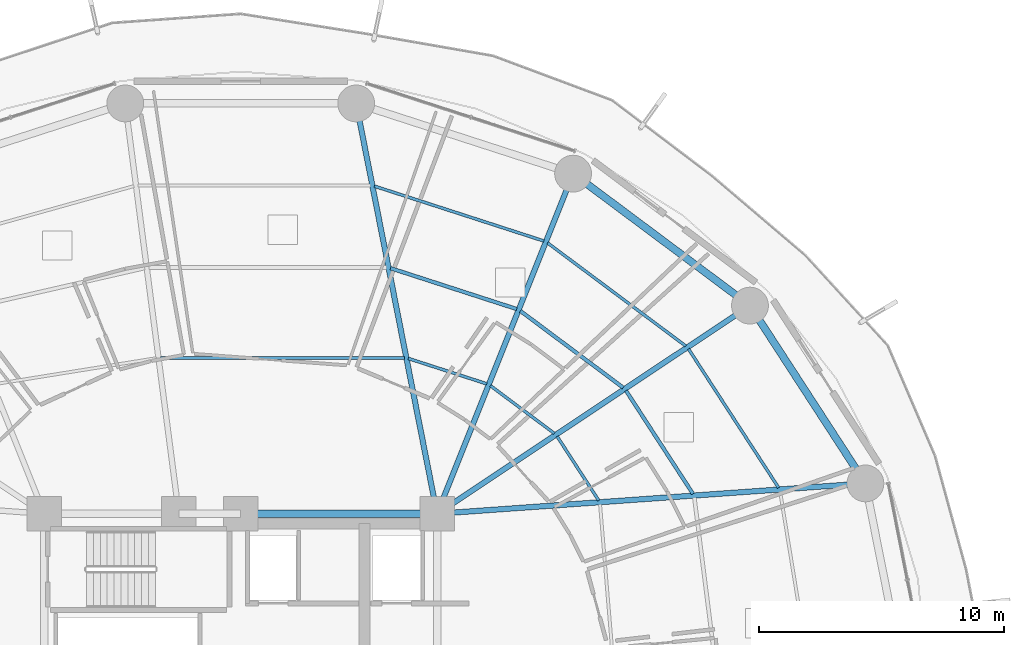
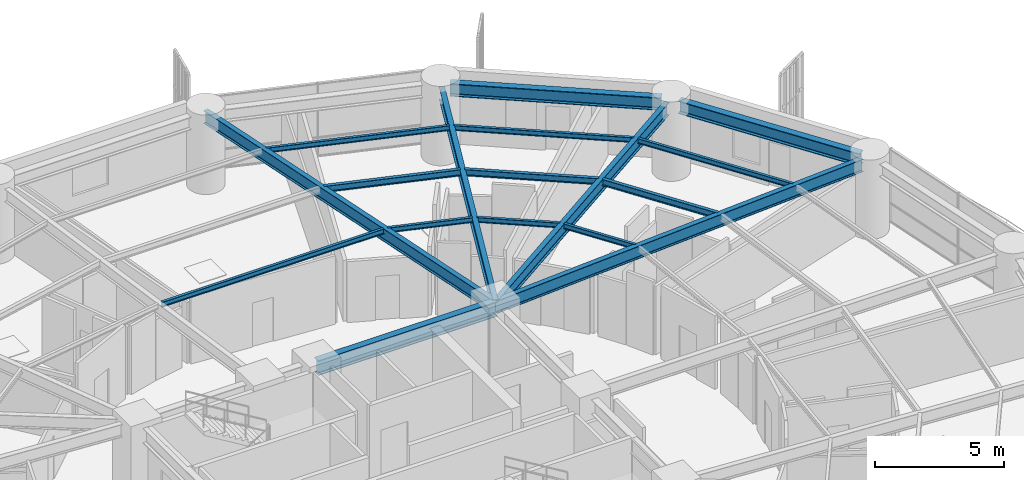
# One storey, part 19 of 32: 17 beams.
"""IFC4 building model written with IfcOpenShell, lengths in metres."""

from ifc_helpers import new_model, si_unit, direction, frame, origin, origin_2d, place, context, subcontext, project, spatial, i_section, extrude, material, material_profile, profile_set, type_object, element, save


model = new_model("IFC4")

# Units and contexts
model_context = context("Model", 3, precision=1e-05, world=origin(), true_north=direction((0.0, 1.0)))
body_context = subcontext(model_context, "Body", "Model", "MODEL_VIEW")
ifc_project = project(units=[si_unit("LENGTHUNIT", "METRE"), si_unit("AREAUNIT", "SQUARE_METRE"), si_unit("VOLUMEUNIT", "CUBIC_METRE"), si_unit("PLANEANGLEUNIT", "RADIAN"), si_unit("MASSUNIT", "GRAM", prefix="KILO")], contexts=[model_context])

# Site, building, storey
site_placement = place(None, origin())
site = spatial("IfcSite", under=ifc_project, at=site_placement, CompositionType="ELEMENT")
building_placement = place(site_placement, origin())
building = spatial("IfcBuilding", under=site, at=building_placement, Name="Kelanora Arch Commons", CompositionType="ELEMENT")
storey_placement = place(building_placement, frame((0.0, 0.0, 56.25)))
storey = spatial("IfcBuildingStorey", under=building, at=storey_placement, Name="L14", CompositionType="ELEMENT", Elevation=56.25)

# Beams
ifc_material = material(Name="Steel S355", Category="steel")
ifc_material_profile_1 = material_profile(ifc_material, i_section(OverallWidth=0.300048828125, OverallDepth=0.699951171875, WebThickness=0.01708984375, FlangeThickness=0.031982421875, FilletRadius=0.027099609375, at=origin_2d()), Name="HEB700")
ifc_profile_set_1 = profile_set([ifc_material_profile_1], Name="Steel S355")
beam_type_1 = type_object("IfcBeamType", Name="BM-CORE-HDR", PredefinedType="BEAM", material=ifc_profile_set_1)
beam_1_placement = place(storey_placement, frame((82.0, 65.0, 3.139892578125), z_axis=(-1.0, 0.0, 0.0), x_axis=(0.0, -1.0, 0.0)))
element("IfcBeam", 1, at=beam_1_placement, inside=storey, type_object=beam_type_1, Name="Core Header Beam 05 L14", PredefinedType="BEAM", context=body_context, shape_type="SweptSolid", body=[
    extrude(i_section(OverallWidth=0.300048828125, OverallDepth=0.699951171875, WebThickness=0.01708984375, FlangeThickness=0.031982421875, FilletRadius=0.027099609375, at=origin_2d()), origin(), (0.0, 0.0, 1.0), 8.0),
])
ifc_material_profile_2 = material_profile(ifc_material, i_section(OverallWidth=0.14990234375, OverallDepth=0.300048828125, WebThickness=0.007080078125, FlangeThickness=0.0107421875, FilletRadius=0.014892578125, at=origin_2d()), Name="IPE300")
ifc_profile_set_2 = profile_set([ifc_material_profile_2], Name="Steel S355")
beam_type_2 = type_object("IfcBeamType", Name="BM-JST-01", PredefinedType="JOIST", material=ifc_profile_set_2)
beam_2_placement = place(storey_placement, frame((92.421875, 65.812744140625, 3.340087890625), z_axis=(-0.544551588245, 0.838727350061, 0.0), x_axis=(-0.838727350061, -0.544551588245, 0.0)))
element("IfcBeam", 2, at=beam_2_placement, inside=storey, type_object=beam_type_2, Name="Secondary Chord Joist BJB-02 L14", PredefinedType="JOIST", context=body_context, shape_type="SweptSolid", body=[
    extrude(i_section(OverallWidth=0.14990234375, OverallDepth=0.300048828125, WebThickness=0.007080078125, FlangeThickness=0.0107421875, FilletRadius=0.014892578125, at=origin_2d()), origin(), (0.0, 0.0, 1.0), 5.010986328125),
])
beam_3_placement = place(storey_placement, frame((89.57861328125, 70.1376953125, 3.340087890625), z_axis=(-0.801478251559, 0.598023922831, 0.0), x_axis=(-0.598023922831, -0.801478251559, 0.0)))
element("IfcBeam", 3, at=beam_3_placement, inside=storey, type_object=beam_type_2, Name="Secondary Chord Joist BJB-04 L14", PredefinedType="JOIST", context=body_context, shape_type="SweptSolid", body=[
    extrude(i_section(OverallWidth=0.14990234375, OverallDepth=0.300048828125, WebThickness=0.007080078125, FlangeThickness=0.0107421875, FilletRadius=0.014892578125, at=origin_2d()), origin(), (0.0, 0.0, 1.0), 5.223388671875),
])
beam_4_placement = place(storey_placement, frame((85.2431640625, 73.33837890625, 3.340087890625), z_axis=(-0.951412209627, 0.307920131482, 0.0), x_axis=(-0.307920131482, -0.951412209627, 0.0)))
element("IfcBeam", 4, at=beam_4_placement, inside=storey, type_object=beam_type_2, Name="Secondary Chord Joist BJB-06 L14", PredefinedType="JOIST", context=body_context, shape_type="SweptSolid", body=[
    extrude(i_section(OverallWidth=0.14990234375, OverallDepth=0.300048828125, WebThickness=0.007080078125, FlangeThickness=0.0107421875, FilletRadius=0.014892578125, at=origin_2d()), origin(), (0.0, 0.0, 1.0), 5.4033203125),
])
ifc_material_profile_3 = material_profile(ifc_material, i_section(OverallWidth=0.1201171875, OverallDepth=0.239990234375, WebThickness=0.006103515625, FlangeThickness=0.009765625, FilletRadius=0.014892578125, at=origin_2d()), Name="IPE240")
ifc_profile_set_3 = profile_set([ifc_material_profile_3], Name="Steel S355")
beam_type_3 = type_object("IfcBeamType", Name="BM-JST-02", PredefinedType="JOIST", material=ifc_profile_set_3)
beam_5_placement = place(storey_placement, frame((88.58349609375, 65.541015625, 3.3701171875), z_axis=(-0.544591105858, 0.838701691557, 0.0), x_axis=(-0.838701691557, -0.544591105858, 0.0)))
element("IfcBeam", 5, at=beam_5_placement, inside=storey, type_object=beam_type_3, Name="Secondary Chord Joist BJA-02 L14", PredefinedType="JOIST", context=body_context, shape_type="SweptSolid", body=[
    extrude(i_section(OverallWidth=0.1201171875, OverallDepth=0.239990234375, WebThickness=0.006103515625, FlangeThickness=0.009765625, FilletRadius=0.014892578125, at=origin_2d()), origin(), (0.0, 0.0, 1.0), 3.111328125),
])
beam_6_placement = place(storey_placement, frame((95.9111328125, 66.059814453125, 3.3701171875), z_axis=(-0.544550165372, 0.838728273873, 0.0), x_axis=(-0.838728273873, -0.544550165372, 0.0)))
element("IfcBeam", 6, at=beam_6_placement, inside=storey, type_object=beam_type_3, Name="Secondary Chord Joist BJC-02 L14", PredefinedType="JOIST", context=body_context, shape_type="SweptSolid", body=[
    extrude(i_section(OverallWidth=0.1201171875, OverallDepth=0.239990234375, WebThickness=0.006103515625, FlangeThickness=0.009765625, FilletRadius=0.014892578125, at=origin_2d()), origin(), (0.0, 0.0, 1.0), 6.738037109375),
])
beam_7_placement = place(storey_placement, frame((86.77490234375, 68.272705078125, 3.3701171875), z_axis=(-0.801513822608, 0.59797624716, 0.0), x_axis=(-0.59797624716, -0.801513822608, 0.0)))
element("IfcBeam", 7, at=beam_7_placement, inside=storey, type_object=beam_type_3, Name="Secondary Chord Joist BJA-04 L14", PredefinedType="JOIST", context=body_context, shape_type="SweptSolid", body=[
    extrude(i_section(OverallWidth=0.1201171875, OverallDepth=0.239990234375, WebThickness=0.006103515625, FlangeThickness=0.009765625, FilletRadius=0.014892578125, at=origin_2d()), origin(), (0.0, 0.0, 1.0), 3.245849609375),
])
beam_8_placement = place(storey_placement, frame((92.12744140625, 71.83349609375, 3.3701171875), z_axis=(-0.80149131963, 0.598006408459, 0.0), x_axis=(-0.598006408459, -0.80149131963, 0.0)))
element("IfcBeam", 8, at=beam_8_placement, inside=storey, type_object=beam_type_3, Name="Secondary Chord Joist BJC-04 L14", PredefinedType="JOIST", context=body_context, shape_type="SweptSolid", body=[
    extrude(i_section(OverallWidth=0.1201171875, OverallDepth=0.239990234375, WebThickness=0.006103515625, FlangeThickness=0.009765625, FilletRadius=0.014892578125, at=origin_2d()), origin(), (0.0, 0.0, 1.0), 7.021240234375),
])
beam_9_placement = place(storey_placement, frame((84.0244140625, 70.290771484375, 3.3701171875), z_axis=(-0.951422608074, 0.30788800049, 0.0), x_axis=(-0.30788800049, -0.951422608074, 0.0)))
element("IfcBeam", 9, at=beam_9_placement, inside=storey, type_object=beam_type_3, Name="Secondary Chord Joist BJA-06 L14", PredefinedType="JOIST", context=body_context, shape_type="SweptSolid", body=[
    extrude(i_section(OverallWidth=0.1201171875, OverallDepth=0.239990234375, WebThickness=0.006103515625, FlangeThickness=0.009765625, FilletRadius=0.014892578125, at=origin_2d()), origin(), (0.0, 0.0, 1.0), 3.359619140625),
])
beam_10_placement = place(storey_placement, frame((86.35107421875, 76.109375, 3.3701171875), z_axis=(-0.951410915705, 0.307924129418, 0.0), x_axis=(-0.307924129418, -0.951410915705, 0.0)))
element("IfcBeam", 10, at=beam_10_placement, inside=storey, type_object=beam_type_3, Name="Secondary Chord Joist BJC-06 L14", PredefinedType="JOIST", context=body_context, shape_type="SweptSolid", body=[
    extrude(i_section(OverallWidth=0.1201171875, OverallDepth=0.239990234375, WebThickness=0.006103515625, FlangeThickness=0.009765625, FilletRadius=0.014892578125, at=origin_2d()), origin(), (0.0, 0.0, 1.0), 7.260986328125),
])
beam_11_placement = place(storey_placement, frame((80.661865234375, 71.351318359375, 3.3701171875), z_axis=(-1.0, 0.0, 0.0), x_axis=(0.0, -1.0, 0.0)))
element("IfcBeam", 11, at=beam_11_placement, inside=storey, type_object=beam_type_3, Name="Secondary Chord Joist BJA-08 L14", PredefinedType="JOIST", context=body_context, shape_type="SweptSolid", body=[
    extrude(i_section(OverallWidth=0.1201171875, OverallDepth=0.239990234375, WebThickness=0.006103515625, FlangeThickness=0.009765625, FilletRadius=0.014892578125, at=origin_2d()), origin(), (0.0, 0.0, 1.0), 9.92626953125),
])
ifc_material_profile_4 = material_profile(ifc_material, i_section(OverallWidth=0.219970703125, OverallDepth=0.60009765625, WebThickness=0.011962890625, FlangeThickness=0.01904296875, FilletRadius=0.02392578125, at=origin_2d()), Name="IPE600")
ifc_profile_set_4 = profile_set([ifc_material_profile_4], Name="Steel S355")
beam_type_4 = type_object("IfcBeamType", Name="BM-RAD-Z1", PredefinedType="BEAM", material=ifc_profile_set_4)
beam_12_placement = place(storey_placement, frame((82.0, 65.0, 3.18994140625), z_axis=(0.997500678462, 0.070656892572, 0.0), x_axis=(-0.070656892572, 0.997500678462, 0.0)))
element("IfcBeam", 12, at=beam_12_placement, inside=storey, type_object=beam_type_4, Name="Radial Floor Girder BR-02 L14", PredefinedType="BEAM", context=body_context, shape_type="SweptSolid", body=[
    extrude(i_section(OverallWidth=0.219970703125, OverallDepth=0.60009765625, WebThickness=0.011962890625, FlangeThickness=0.01904296875, FilletRadius=0.02392578125, at=origin_2d()), origin(), (0.0, 0.0, 1.0), 17.110595703125),
])
beam_13_placement = place(storey_placement, frame((82.0, 65.0, 3.18994140625), z_axis=(0.832590897434, 0.553888434173, 0.0), x_axis=(-0.553888434173, 0.832590897434, 0.0)))
element("IfcBeam", 13, at=beam_13_placement, inside=storey, type_object=beam_type_4, Name="Radial Floor Girder BR-04 L14", PredefinedType="BEAM", context=body_context, shape_type="SweptSolid", body=[
    extrude(i_section(OverallWidth=0.219970703125, OverallDepth=0.60009765625, WebThickness=0.011962890625, FlangeThickness=0.01904296875, FilletRadius=0.02392578125, at=origin_2d()), origin(), (0.0, 0.0, 1.0), 14.9267578125),
])
beam_14_placement = place(storey_placement, frame((82.0, 65.0, 3.18994140625), z_axis=(0.37129803903, 0.928513740454, 0.0), x_axis=(-0.928513740454, 0.37129803903, 0.0)))
element("IfcBeam", 14, at=beam_14_placement, inside=storey, type_object=beam_type_4, Name="Radial Floor Girder BR-06 L14", PredefinedType="BEAM", context=body_context, shape_type="SweptSolid", body=[
    extrude(i_section(OverallWidth=0.219970703125, OverallDepth=0.60009765625, WebThickness=0.011962890625, FlangeThickness=0.01904296875, FilletRadius=0.02392578125, at=origin_2d()), origin(), (0.0, 0.0, 1.0), 14.540771484375),
])
beam_15_placement = place(storey_placement, frame((82.0, 65.0, 3.18994140625), z_axis=(-0.19356352044, 0.981087745084, 0.0), x_axis=(-0.981087745084, -0.19356352044, 0.0)))
element("IfcBeam", 15, at=beam_15_placement, inside=storey, type_object=beam_type_4, Name="Radial Floor Girder BR-08 L14", PredefinedType="BEAM", context=body_context, shape_type="SweptSolid", body=[
    extrude(i_section(OverallWidth=0.219970703125, OverallDepth=0.60009765625, WebThickness=0.011962890625, FlangeThickness=0.01904296875, FilletRadius=0.02392578125, at=origin_2d()), origin(), (0.0, 0.0, 1.0), 17.036376953125),
])
ifc_material_profile_5 = material_profile(ifc_material, i_section(OverallWidth=0.300048828125, OverallDepth=0.60009765625, WebThickness=0.015380859375, FlangeThickness=0.030029296875, FilletRadius=0.027099609375, at=origin_2d()), Name="HEB600")
ifc_profile_set_5 = profile_set([ifc_material_profile_5], Name="Steel S355")
beam_type_5 = type_object("IfcBeamType", Name="BM-SPN-Z1", PredefinedType="SPANDREL", material=ifc_profile_set_5)
beam_16_placement = place(storey_placement, frame((99.239990234375, 66.554443359375, 3.18994140625), z_axis=(-0.54455786519, 0.838723274662, 0.0), x_axis=(-0.838723274662, -0.54455786519, 0.0)))
element("IfcBeam", 16, at=beam_16_placement, inside=storey, type_object=beam_type_5, Name="Perimeter Spandrel Beam BS-02 L14", PredefinedType="SPANDREL", context=body_context, shape_type="SweptSolid", body=[
    extrude(i_section(OverallWidth=0.300048828125, OverallDepth=0.60009765625, WebThickness=0.015380859375, FlangeThickness=0.030029296875, FilletRadius=0.027099609375, at=origin_2d()), origin(), (0.0, 0.0, 1.0), 7.875244140625),
])
beam_17_placement = place(storey_placement, frame((94.43994140625, 73.70556640625, 3.18994140625), z_axis=(-0.801482139897, 0.598018711601, 0.0), x_axis=(-0.598018711601, -0.801482139897, 0.0)))
element("IfcBeam", 17, at=beam_17_placement, inside=storey, type_object=beam_type_5, Name="Perimeter Spandrel Beam BS-04 L14", PredefinedType="SPANDREL", context=body_context, shape_type="SweptSolid", body=[
    extrude(i_section(OverallWidth=0.300048828125, OverallDepth=0.60009765625, WebThickness=0.015380859375, FlangeThickness=0.030029296875, FilletRadius=0.027099609375, at=origin_2d()), origin(), (0.0, 0.0, 1.0), 8.22900390625),
])

save(model, "model.ifc")
